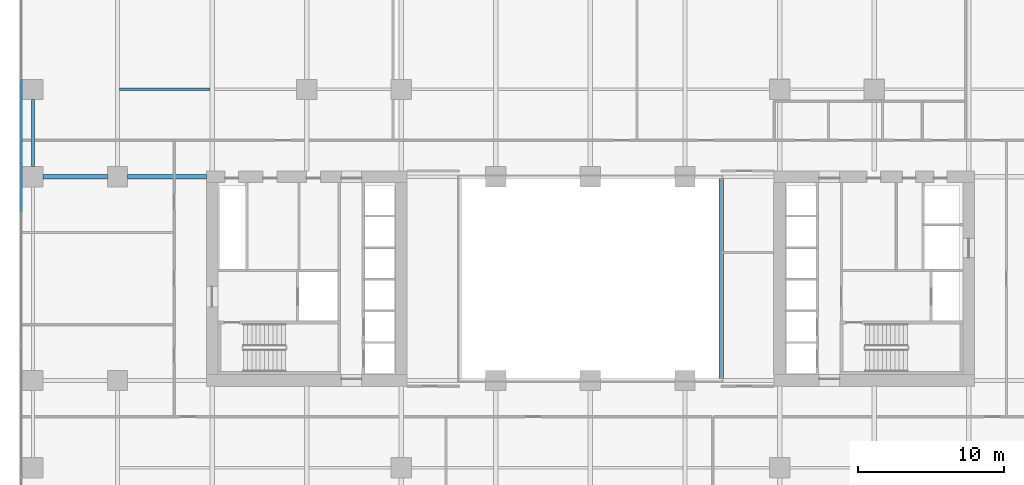
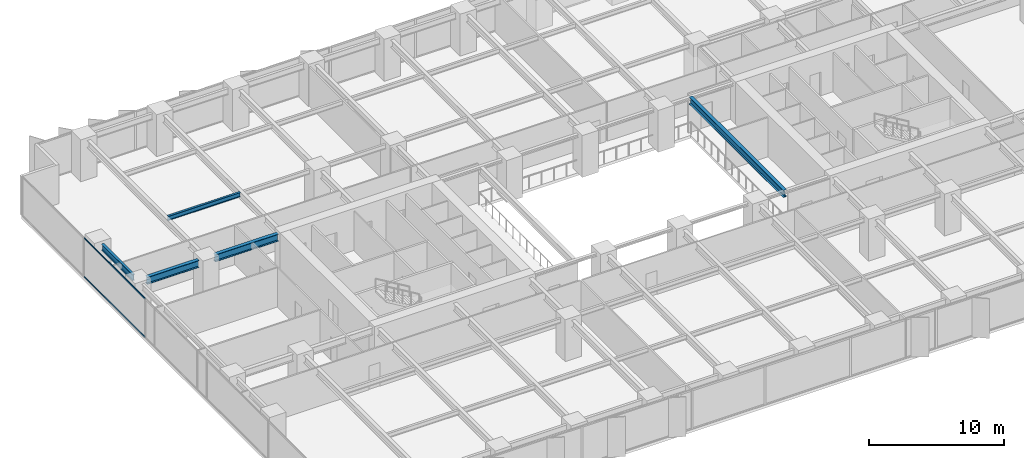
# One storey, part 6 of 20: 5 beams, 2 members, 1 element without a shape of its own.
"""IFC4 building model written with IfcOpenShell, lengths in metres."""

from ifc_helpers import new_model, si_unit, direction, frame, origin, origin_2d, place, context, subcontext, project, spatial, rectangle, i_section, extrude, material, layer, layer_set, material_profile, profile_set, type_object, element, aggregate, save


model = new_model("IFC4")

# Units and contexts
model_context = context("Model", 3, precision=1e-05, world=origin(), true_north=direction((0.0, 1.0)))
body_context = subcontext(model_context, "Body", "Model", "MODEL_VIEW")
ifc_project = project(units=[si_unit("LENGTHUNIT", "METRE"), si_unit("AREAUNIT", "SQUARE_METRE"), si_unit("VOLUMEUNIT", "CUBIC_METRE"), si_unit("PLANEANGLEUNIT", "RADIAN"), si_unit("MASSUNIT", "GRAM", prefix="KILO")], contexts=[model_context])

# Site, building, storey
site_placement = place(None, origin())
site = spatial("IfcSite", under=ifc_project, at=site_placement, CompositionType="ELEMENT")
building_placement = place(site_placement, origin())
building = spatial("IfcBuilding", under=site, at=building_placement, Name="Putna Gate Headquarters", CompositionType="ELEMENT")
storey_placement = place(building_placement, frame((0.0, 0.0, 50.60009765625)))
storey = spatial("IfcBuildingStorey", under=building, at=storey_placement, Name="L11", CompositionType="ELEMENT", Elevation=50.60009765625)

# Beams
ifc_material_1 = material(Name="Steel S355J2", Category="steel")
ifc_material_profile_1 = material_profile(ifc_material_1, i_section(OverallWidth=0.300048828125, OverallDepth=0.64990234375, WebThickness=0.01611328125, FlangeThickness=0.031005859375, at=origin_2d()), Name="Steel S355J2")
ifc_profile_set_1 = profile_set([ifc_material_profile_1], Name="Steel S355J2")
beam_type_1 = type_object("IfcBeamType", Name="BM-GIRD-Z1-HEB650", PredefinedType="USERDEFINED", material=ifc_profile_set_1)
beam_1_placement = place(storey_placement, frame((1.367919921875, 33.0, 3.224853515625), z_axis=(1.0, 0.0, 0.0), x_axis=(0.0, 1.0, 0.0)))
element("IfcBeam", 1, at=beam_1_placement, inside=storey, type_object=beam_type_1, Name="L11 West Wing Girder Y33-1", ObjectType="GIRDER", PredefinedType="USERDEFINED", context=body_context, shape_type="SweptSolid", body=[
    extrude(i_section(OverallWidth=0.300048828125, OverallDepth=0.64990234375, WebThickness=0.01611328125, FlangeThickness=0.031005859375, at=origin_2d()), origin(), (0.0, 0.0, 1.0), 4.444091796875),
])
beam_2_placement = place(storey_placement, frame((7.18798828125, 33.0, 3.224853515625), z_axis=(1.0, 0.0, 0.0), x_axis=(0.0, 1.0, 0.0)))
element("IfcBeam", 2, at=beam_2_placement, inside=storey, type_object=beam_type_1, Name="L11 West Wing Girder Y33-2", ObjectType="GIRDER", PredefinedType="USERDEFINED", context=body_context, shape_type="SweptSolid", body=[
    extrude(i_section(OverallWidth=0.300048828125, OverallDepth=0.64990234375, WebThickness=0.01611328125, FlangeThickness=0.031005859375, at=origin_2d()), origin(), (0.0, 0.0, 1.0), 5.427001953125),
])
beam_3_placement = place(storey_placement, frame((48.0, 19.010009765625, 3.224853515625), z_axis=(0.0, 1.0, 0.0), x_axis=(-1.0, 0.0, 0.0)))
element("IfcBeam", 3, at=beam_3_placement, inside=storey, type_object=beam_type_1, Name="L11 Atrium Trim Girder AE", ObjectType="GIRDER", PredefinedType="USERDEFINED", context=body_context, shape_type="SweptSolid", body=[
    extrude(i_section(OverallWidth=0.300048828125, OverallDepth=0.64990234375, WebThickness=0.01611328125, FlangeThickness=0.031005859375, at=origin_2d()), origin(), (0.0, 0.0, 1.0), 13.97998046875),
])
ifc_material_profile_2 = material_profile(ifc_material_1, i_section(OverallWidth=0.179931640625, OverallDepth=0.39990234375, WebThickness=0.008544921875, FlangeThickness=0.013427734375, at=origin_2d()), Name="Steel S355J2")
ifc_profile_set_2 = profile_set([ifc_material_profile_2], Name="Steel S355J2")
beam_type_2 = type_object("IfcBeamType", Name="BM-SEC-Z1-IPE400", PredefinedType="BEAM", material=ifc_profile_set_2)
beam_4_placement = place(storey_placement, frame((6.654052734375, 39.0, 3.349853515625), z_axis=(1.0, 0.0, 0.0), x_axis=(0.0, 1.0, 0.0)))
element("IfcBeam", 4, at=beam_4_placement, inside=storey, type_object=beam_type_2, Name="L11 North Secondary Beam 1", PredefinedType="BEAM", context=body_context, shape_type="SweptSolid", body=[
    extrude(i_section(OverallWidth=0.179931640625, OverallDepth=0.39990234375, WebThickness=0.008544921875, FlangeThickness=0.013427734375, at=origin_2d()), origin(), (0.0, 0.0, 1.0), 6.19189453125),
])
ifc_material_profile_3 = material_profile(ifc_material_1, i_section(OverallWidth=0.2099609375, OverallDepth=0.550048828125, WebThickness=0.010986328125, FlangeThickness=0.01708984375, at=origin_2d()), Name="Steel S355J2")
ifc_profile_set_3 = profile_set([ifc_material_profile_3], Name="Steel S355J2")
beam_type_3 = type_object("IfcBeamType", Name="BM-SPAN-Z1-IPE550", PredefinedType="SPANDREL", material=ifc_profile_set_3)
beam_5_placement = place(storey_placement, frame((0.679931640625, 33.68798828125, 3.27490234375), z_axis=(0.0, 1.0, 0.0), x_axis=(-1.0, 0.0, 0.0)))
element("IfcBeam", 5, at=beam_5_placement, inside=storey, type_object=beam_type_3, Name="L11 W End Spandrel 3", PredefinedType="SPANDREL", context=body_context, shape_type="SweptSolid", body=[
    extrude(i_section(OverallWidth=0.2099609375, OverallDepth=0.550048828125, WebThickness=0.010986328125, FlangeThickness=0.01708984375, at=origin_2d()), origin(), (0.0, 0.0, 1.0), 4.6240234375),
])

# Curtain wall, members
ifc_material_2 = material(Name="Anodised bronze aluminium curtain wall", Category="aluminium")
ifc_layer = layer(ifc_material_2, 0.179931640625)
ifc_layer_set = layer_set([ifc_layer], Name="Anodised bronze aluminium curtain wall")
curtain_wall_type = type_object("IfcCurtainWallType", Name="CW-SYS-Z1", PredefinedType="USERDEFINED", material=ifc_layer_set)
curtain_wall_placement = place(storey_placement, origin())
curtain_wall = element("IfcCurtainWall", 6, at=curtain_wall_placement, inside=storey, type_object=curtain_wall_type, Name="L11 West Curtain Wall", ObjectType="STICK CURTAIN WALL", PredefinedType="USERDEFINED")
ifc_material_3 = material(Name="Anodised bronze aluminium EN AW-6060", Category="aluminium")
ifc_material_profile_4 = material_profile(ifc_material_3, rectangle(XDim=0.06494140625, YDim=0.1201171875, at=origin_2d()), Name="Anodised bronze aluminium EN AW-6060")
ifc_profile_set_4 = profile_set([ifc_material_profile_4], Name="Anodised bronze aluminium EN AW-6060")
member_type = type_object("IfcMemberType", Name="TRAN-CWT-1", PredefinedType="USERDEFINED", material=ifc_profile_set_4)
member_1_placement = place(storey_placement, frame((-0.1201171875, 30.594970703125, 0.032470703125), z_axis=(0.0, 1.0, 0.0), x_axis=(-1.0, 0.0, 0.0)))
member_1 = element("IfcMember", 7, at=member_1_placement, type_object=member_type, Name="CWS-1 transom 4.1", ObjectType="TRANSOM", PredefinedType="USERDEFINED", context=body_context, shape_type="SweptSolid", body=[
    extrude(rectangle(XDim=0.06494140625, YDim=0.1201171875, at=origin_2d()), origin(), (0.0, 0.0, 1.0), 9.050048828125),
])
member_2_placement = place(storey_placement, frame((-0.1201171875, 30.594970703125, 3.517333984375), z_axis=(0.0, 1.0, 0.0), x_axis=(-1.0, 0.0, 0.0)))
member_2 = element("IfcMember", 8, at=member_2_placement, type_object=member_type, Name="CWS-1 transom 4.2", ObjectType="TRANSOM", PredefinedType="USERDEFINED", context=body_context, shape_type="SweptSolid", body=[
    extrude(rectangle(XDim=0.06494140625, YDim=0.1201171875, at=origin_2d()), origin(), (0.0, 0.0, 1.0), 9.050048828125),
])
aggregate(curtain_wall, [member_1, member_2])

save(model, "model.ifc")
